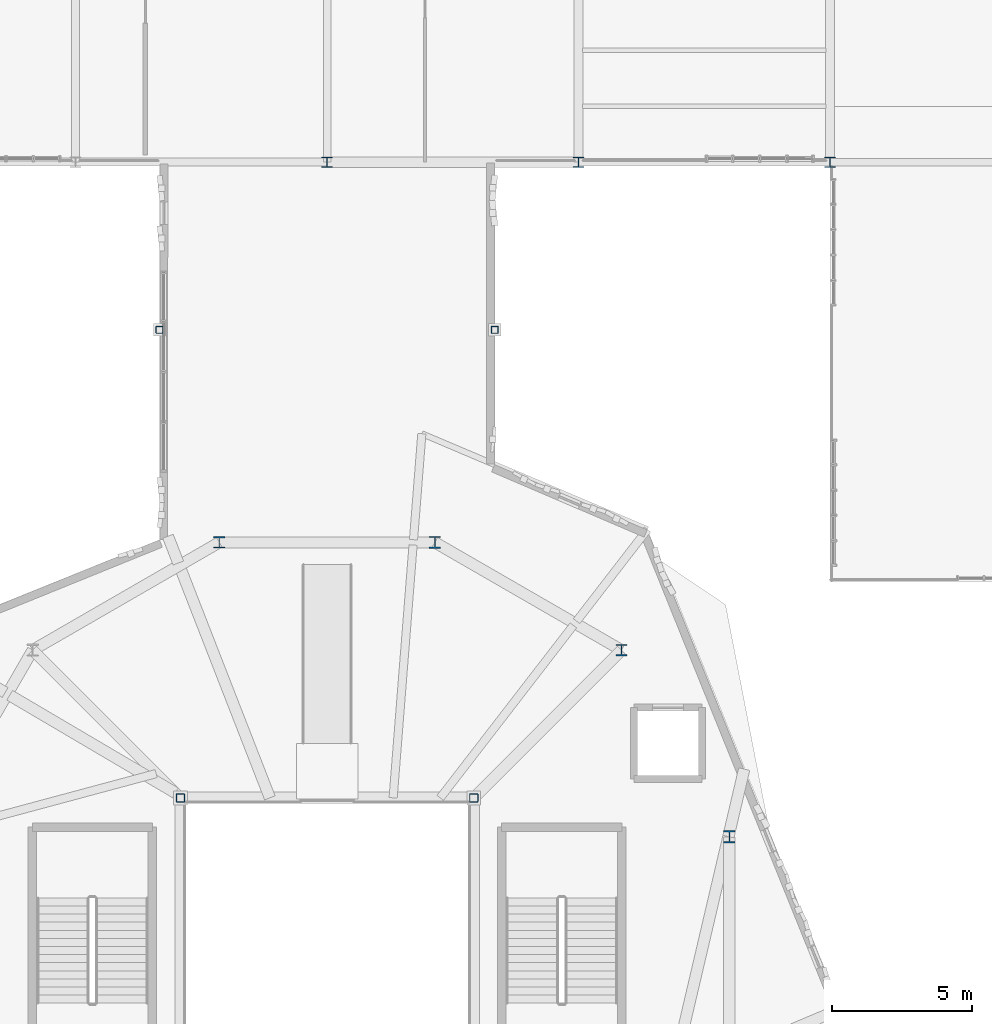
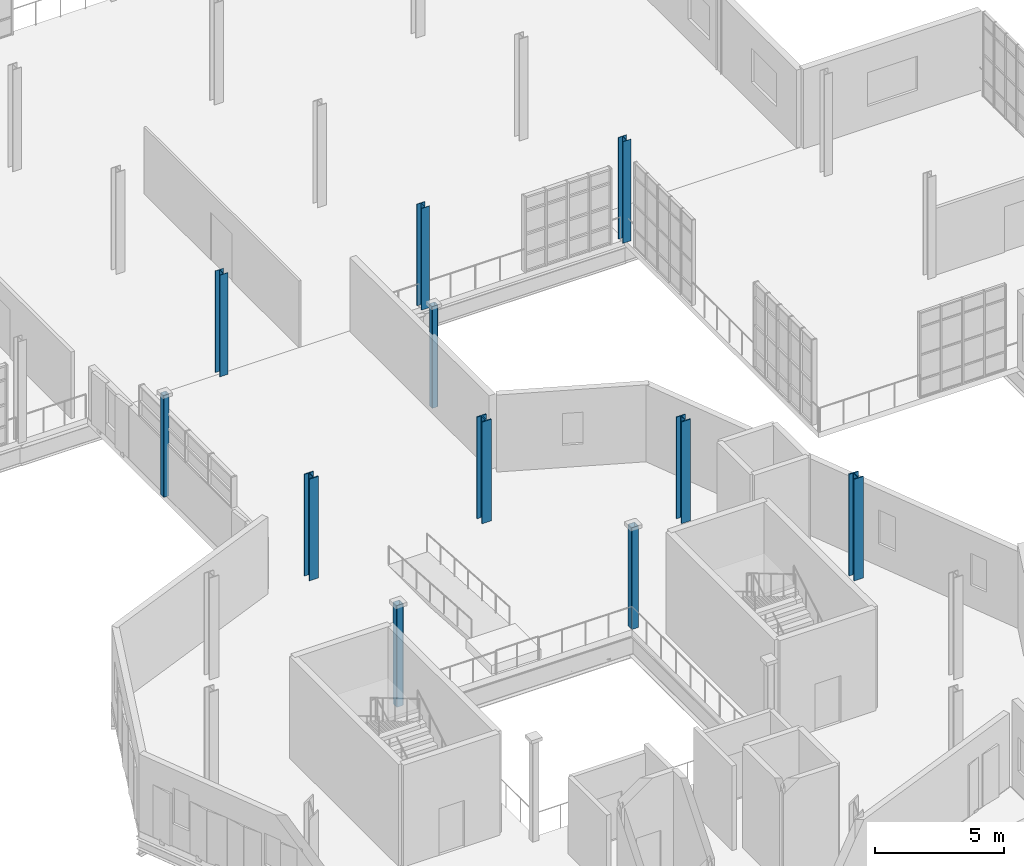
# One storey, part 7 of 122: 11 columns.
"""IFC4 building model written with IfcOpenShell, lengths in metres."""

from ifc_helpers import new_model, si_unit, direction, frame, origin, origin_2d, place, context, subcontext, project, spatial, hollow_rectangle, i_section, extrude, material, material_profile, profile_set, type_object, element, save


model = new_model("IFC4")

# Units and contexts
model_context = context("Model", 3, precision=1e-05, world=origin(), true_north=direction((0.0, 1.0)))
body_context = subcontext(model_context, "Body", "Model", "MODEL_VIEW")
ifc_project = project(units=[si_unit("LENGTHUNIT", "METRE"), si_unit("AREAUNIT", "SQUARE_METRE"), si_unit("VOLUMEUNIT", "CUBIC_METRE"), si_unit("PLANEANGLEUNIT", "RADIAN"), si_unit("MASSUNIT", "GRAM", prefix="KILO"), si_unit("THERMODYNAMICTEMPERATUREUNIT", "KELVIN"), si_unit("POWERUNIT", "WATT")], contexts=[model_context])

# Site, building, storey
site_placement = place(None, origin())
site = spatial("IfcSite", under=ifc_project, at=site_placement, CompositionType="ELEMENT")
building_placement = place(site_placement, origin())
building = spatial("IfcBuilding", under=site, at=building_placement, Name="Zelmaris Science Centre", CompositionType="ELEMENT")
storey_placement = place(building_placement, frame((0.0, 0.0, 10.800048828125)))
storey = spatial("IfcBuildingStorey", under=building, at=storey_placement, Name="L02", CompositionType="ELEMENT", Elevation=10.800048828125)

# Columns
ifc_material_1 = material(Name="Steel ASTM A992 Grade 50", Category="steel")
ifc_material_profile_1 = material_profile(ifc_material_1, i_section(OverallWidth=0.412109375, OverallDepth=0.43408203125, WebThickness=0.035888671875, FlangeThickness=0.044189453125, FilletRadius=0.014892578125, at=origin_2d()), Name="W14X311")
ifc_profile_set_1 = profile_set([ifc_material_profile_1], Name="Steel ASTM A992 Grade 50")
column_type_1 = type_object("IfcColumnType", Name="Column C-01 W14X311", PredefinedType="COLUMN", material=ifc_profile_set_1)
for number, where, z_axis, x_axis, name in (
    (1, (95.392333984375, 39.8564453125, 0.0), (0.0, 0.0, 1.0), (1.0, 0.0, 0.0), "Column V2-MC01 L02"),
    (2, (84.8564453125, 50.392333984375, 0.0), (0.0, 0.0, 1.0), (1.0, 0.0, 0.0), "Column V2-MC03 L02"),
):
    element("IfcColumn", number, at=place(storey_placement, frame(where, z_axis=z_axis, x_axis=x_axis)), inside=storey, type_object=column_type_1, Name=name, PredefinedType="COLUMN", context=body_context, shape_type="SweptSolid", body=[
        extrude(i_section(OverallWidth=0.412109375, OverallDepth=0.43408203125, WebThickness=0.035888671875, FlangeThickness=0.044189453125, FilletRadius=0.014892578125, at=origin_2d()), origin(), (0.0, 0.0, 1.0), 4.800048828125),
    ])
ifc_material_profile_2 = material_profile(ifc_material_1, i_section(OverallWidth=0.406005859375, OverallDepth=0.4169921875, WebThickness=0.02978515625, FlangeThickness=0.04443359375, FilletRadius=0.014892578125, at=origin_2d()), Name="W14X257")
ifc_profile_set_2 = profile_set([ifc_material_profile_2], Name="Steel ASTM A992 Grade 50")
column_type_2 = type_object("IfcColumnType", Name="Column C-02 W14X257", PredefinedType="COLUMN", material=ifc_profile_set_2)
for number, where, z_axis, x_axis, name in (
    (3, (91.535888671875, 46.535888671875, 0.0), (0.0, 0.0, 1.0), (1.0, 0.0, 0.0), "Column V2-MC02 L02"),
    (4, (77.1435546875, 50.392333984375, 0.0), (0.0, 0.0, 1.0), (1.0, 0.0, 0.0), "Column V2-MC04 L02"),
):
    element("IfcColumn", number, at=place(storey_placement, frame(where, z_axis=z_axis, x_axis=x_axis)), inside=storey, type_object=column_type_2, Name=name, PredefinedType="COLUMN", context=body_context, shape_type="SweptSolid", body=[
        extrude(i_section(OverallWidth=0.406005859375, OverallDepth=0.4169921875, WebThickness=0.02978515625, FlangeThickness=0.04443359375, FilletRadius=0.014892578125, at=origin_2d()), origin(), (0.0, 0.0, 1.0), 4.800048828125),
    ])
ifc_material_profile_3 = material_profile(ifc_material_1, i_section(OverallWidth=0.367919921875, OverallDepth=0.35595703125, WebThickness=0.01123046875, FlangeThickness=0.01806640625, FilletRadius=0.014892578125, at=origin_2d()), Name="W14X90")
ifc_profile_set_3 = profile_set([ifc_material_profile_3], Name="Steel ASTM A992 Grade 50")
column_type_3 = type_object("IfcColumnType", Name="Column C-07 W14X90", PredefinedType="COLUMN", material=ifc_profile_set_3)
for number, where, z_axis, x_axis, name in (
    (5, (81.0, 64.0, 0.0), (0.0, 0.0, 1.0), (1.0, 0.0, 0.0), "Column V5-C-81-64 L02"),
    (6, (90.0, 64.0, 0.0), (0.0, 0.0, 1.0), (1.0, 0.0, 0.0), "Column V5-C-90-64 L02"),
    (7, (99.0, 64.0, 0.0), (0.0, 0.0, 1.0), (1.0, 0.0, 0.0), "Column V5-C-99-64 L02"),
):
    element("IfcColumn", number, at=place(storey_placement, frame(where, z_axis=z_axis, x_axis=x_axis)), inside=storey, type_object=column_type_3, Name=name, PredefinedType="COLUMN", context=body_context, shape_type="SweptSolid", body=[
        extrude(i_section(OverallWidth=0.367919921875, OverallDepth=0.35595703125, WebThickness=0.01123046875, FlangeThickness=0.01806640625, FilletRadius=0.014892578125, at=origin_2d()), origin(), (0.0, 0.0, 1.0), 4.800048828125),
    ])
ifc_material_2 = material(Name="Steel ASTM A500 Grade C", Category="steel")
ifc_material_profile_4 = material_profile(ifc_material_2, hollow_rectangle(XDim=0.3046875, YDim=0.3046875, WallThickness=0.0146484375, InnerFilletRadius=0.0146484375, OuterFilletRadius=0.029296875, at=origin_2d()), Name="HSS305X305X16")
ifc_profile_set_4 = profile_set([ifc_material_profile_4], Name="Steel ASTM A500 Grade C")
column_type_4 = type_object("IfcColumnType", Name="Column C-10 HSS305X305X16", PredefinedType="COLUMN", material=ifc_profile_set_4)
for number, where, z_axis, x_axis, name in (
    (8, (86.25, 41.25, 0.0), (0.0, 0.0, 1.0), (1.0, 0.0, 0.0), "Column V2-AC03 L02"),
    (9, (75.75, 41.25, 0.0), (0.0, 0.0, 1.0), (1.0, 0.0, 0.0), "Column V2-AC04 L02"),
):
    element("IfcColumn", number, at=place(storey_placement, frame(where, z_axis=z_axis, x_axis=x_axis)), inside=storey, type_object=column_type_4, Name=name, PredefinedType="COLUMN", context=body_context, shape_type="SweptSolid", body=[
        extrude(hollow_rectangle(XDim=0.3046875, YDim=0.3046875, WallThickness=0.0146484375, InnerFilletRadius=0.0146484375, OuterFilletRadius=0.029296875, at=origin_2d()), origin(), (0.0, 0.0, 1.0), 4.800048828125),
    ])
ifc_material_profile_5 = material_profile(ifc_material_2, hollow_rectangle(XDim=0.25390625, YDim=0.25390625, WallThickness=0.01171875, InnerFilletRadius=0.01171875, OuterFilletRadius=0.023681640625, at=origin_2d()), Name="HSS254X254X13")
ifc_profile_set_5 = profile_set([ifc_material_profile_5], Name="Steel ASTM A500 Grade C")
column_type_5 = type_object("IfcColumnType", Name="Column C-11 HSS254X254X13", PredefinedType="COLUMN", material=ifc_profile_set_5)
for number, where, z_axis, x_axis, name in (
    (10, (75.0, 58.0, 0.0), (0.0, 0.0, 1.0), (1.0, 0.0, 0.0), "Column LK-N-75 L02"),
    (11, (87.0, 58.0, 0.0), (0.0, 0.0, 1.0), (1.0, 0.0, 0.0), "Column LK-N-87 L02"),
):
    element("IfcColumn", number, at=place(storey_placement, frame(where, z_axis=z_axis, x_axis=x_axis)), inside=storey, type_object=column_type_5, Name=name, PredefinedType="COLUMN", context=body_context, shape_type="SweptSolid", body=[
        extrude(hollow_rectangle(XDim=0.25390625, YDim=0.25390625, WallThickness=0.01171875, InnerFilletRadius=0.01171875, OuterFilletRadius=0.023681640625, at=origin_2d()), origin(), (0.0, 0.0, 1.0), 4.800048828125),
    ])

save(model, "model.ifc")
